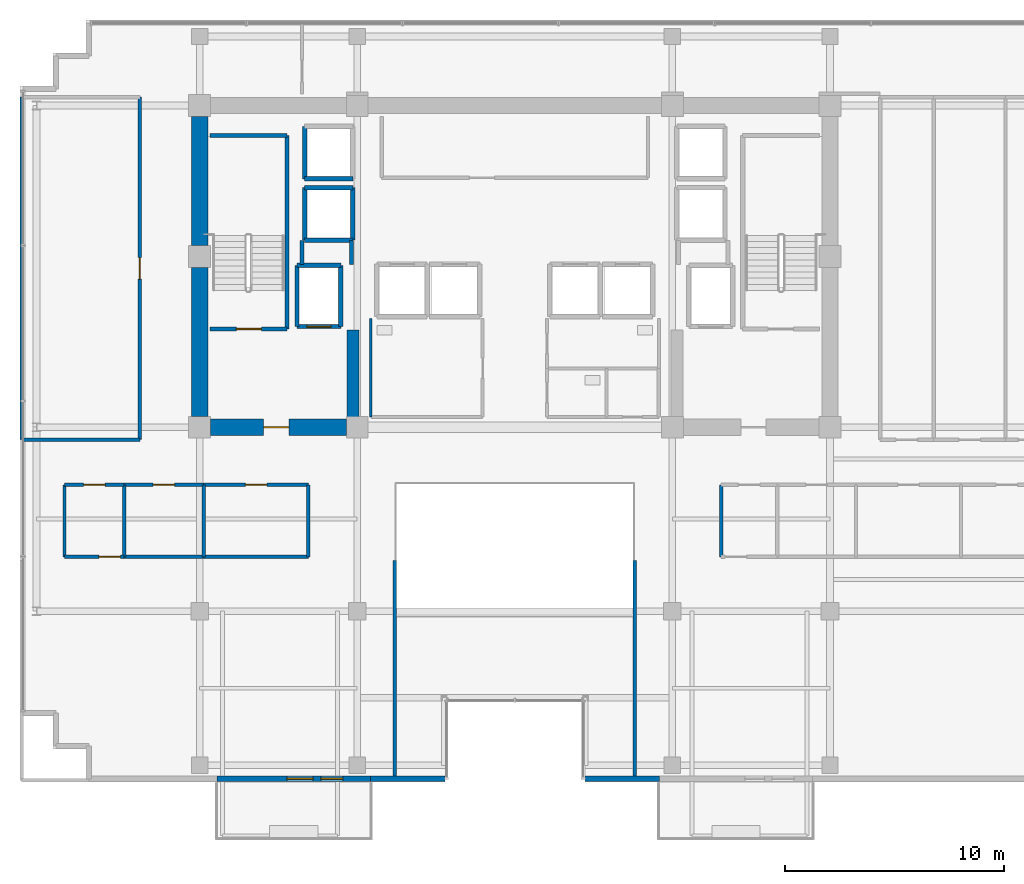
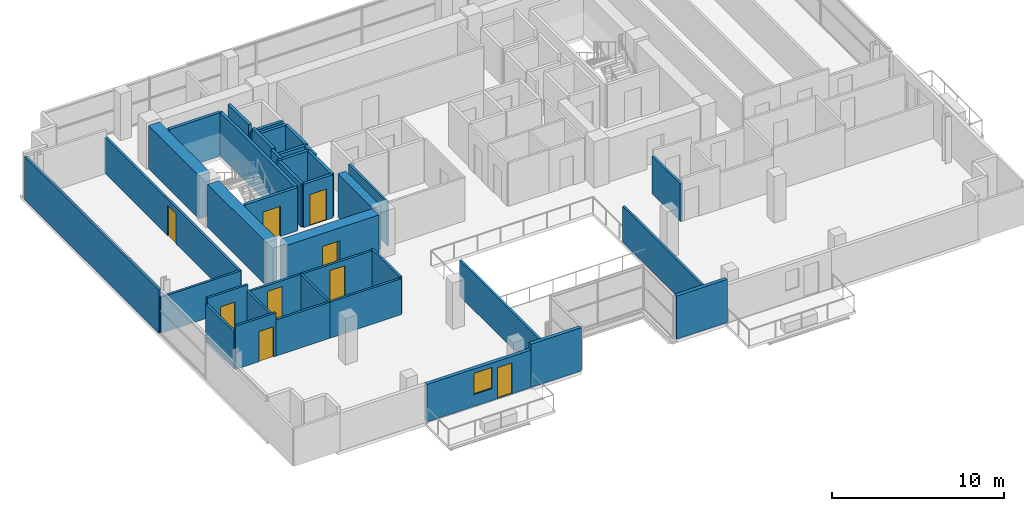
# One storey, part 15 of 21: 39 walls, 9 doors, 1 window, 10 openings.
"""IFC4 building model written with IfcOpenShell, lengths in metres."""

from ifc_helpers import new_model, si_unit, direction, frame, frame_2d, origin, place, context, subcontext, project, spatial, rectangle, extrude, source, transform, mapped, material, layer, layer_set, type_object, element, fill, save


model = new_model("IFC4")

# Units and contexts
model_context = context("Model", 3, precision=1e-05, world=origin(), true_north=direction((0.0, 1.0)))
body_context = subcontext(model_context, "Body", "Model", "MODEL_VIEW")
ifc_project = project(units=[si_unit("LENGTHUNIT", "METRE"), si_unit("AREAUNIT", "SQUARE_METRE"), si_unit("VOLUMEUNIT", "CUBIC_METRE"), si_unit("PLANEANGLEUNIT", "RADIAN"), si_unit("MASSUNIT", "GRAM", prefix="KILO")], contexts=[model_context])

# Site, building, storey
site_placement = place(None, origin())
site = spatial("IfcSite", under=ifc_project, at=site_placement, CompositionType="ELEMENT")
building_placement = place(site_placement, origin())
building = spatial("IfcBuilding", under=site, at=building_placement, Name="Zarnakvel Exchange Tower", CompositionType="ELEMENT")
storey_placement = place(building_placement, frame((0.0, 0.0, 182.5)))
storey = spatial("IfcBuildingStorey", under=building, at=storey_placement, Name="L51", CompositionType="ELEMENT", Elevation=182.5)

# Walls
ifc_material_1 = material(Name="Concrete C60/75", Category="concrete")
ifc_layer_1 = layer(ifc_material_1, 0.75)
ifc_layer_set_1 = layer_set([ifc_layer_1], Name="Concrete C60/75")
wall_type_1 = type_object("IfcWallType", Name="CW-C3", PredefinedType="SHEAR", material=ifc_layer_set_1)
wall_1_placement = place(storey_placement, frame((-14.39990234375, -0.699951171875, 0.0), z_axis=(0.0, 0.0, 1.0), x_axis=(0.0, 1.0, 0.0)))
element("IfcWall", 1, at=wall_1_placement, inside=storey, type_object=wall_type_1, Name="L51 Rear Core Shear Wall W1 (CW-C3)", PredefinedType="SHEAR", context=body_context, shape_type="SweptSolid", body=[
    extrude(rectangle(XDim=6.800048828125, YDim=0.75, at=frame_2d((3.39990234375, 0.0))), origin(), (0.0, 0.0, 1.0), 3.074951171875),
])
wall_2_placement = place(storey_placement, frame((-14.39990234375, 7.10009765625, 0.0), z_axis=(0.0, 0.0, 1.0), x_axis=(0.0, 1.0, 0.0)))
element("IfcWall", 2, at=wall_2_placement, inside=storey, type_object=wall_type_1, Name="L51 Rear Core Shear Wall W2 (CW-C3)", PredefinedType="SHEAR", context=body_context, shape_type="SweptSolid", body=[
    extrude(rectangle(XDim=5.89990234375, YDim=0.75, at=frame_2d((2.949951171875, 0.0))), origin(), (0.0, 0.0, 1.0), 3.074951171875),
])

# Wall, opening, door
wall_3_placement = place(storey_placement, frame((-7.699951171875, -1.199951171875, 0.0), z_axis=(0.0, 0.0, 1.0), x_axis=(-1.0, 0.0, 0.0)))
wall_3 = element("IfcWall", 3, at=wall_3_placement, inside=storey, type_object=wall_type_1, Name="L51 Rear Core Shear Wall SW (CW-C3)", PredefinedType="SHEAR", context=body_context, shape_type="SweptSolid", body=[
    extrude(rectangle(XDim=6.199951171875, YDim=0.75, at=frame_2d((3.10009765625, 0.0))), origin(), (0.0, 0.0, 1.0), 3.074951171875),
])
opening_1_placement = place(wall_3_placement, frame((2.625, 0.0, 0.0)))
opening_1 = element("IfcOpeningElement", 4, at=opening_1_placement, cuts=wall_3, Name="Opening D-L51-03", PredefinedType="OPENING", context=body_context, shape_type="SweptSolid", body=[
    extrude(rectangle(XDim=1.14990234375, YDim=2.14990234375, at=frame_2d((0.574951171875, 1.074951171875))), frame((0.0, 0.385009765625, 0.0), z_axis=(0.0, -1.0, 0.0), x_axis=(1.0, 0.0, 0.0)), (0.0, 0.0, 1.0), 0.77001953125),
])
ifc_material_2 = material(Name="Painted Galvanised Steel S355", Category="steel")
door_type_1 = type_object("IfcDoorType", Name="DT-04", OperationType="NOTDEFINED", PredefinedType="DOOR", material=ifc_material_2)
shared_shape_1 = source(origin(), body_context, "Body", "SweptSolid", [
    extrude(rectangle(XDim=1.14990234375, YDim=2.14990234375, at=frame_2d((0.574951171875, 1.074951171875))), frame((0.0, 0.02490234375, 0.0), z_axis=(0.0, -1.0, 0.0), x_axis=(1.0, 0.0, 0.0)), (0.0, 0.0, 1.0), 0.050048828125),
])
door_1_placement = place(opening_1_placement, origin())
door_1 = element("IfcDoor", 5, at=door_1_placement, inside=storey, type_object=door_type_1, Name="L51 Firefighting Lobby West Door D-L51-03", OperationType="SINGLE_SWING_LEFT", OverallHeight=2.14990234375, OverallWidth=1.14990234375, PredefinedType="DOOR", context=body_context, shape_type="MappedRepresentation", body=[
    mapped(shared_shape_1, transform((0.0, 0.0, 0.0), x_axis=(1.0, 0.0, 0.0), y_axis=(0.0, 1.0, 0.0), z_axis=(0.0, 0.0, 1.0), scale=1.0)),
])
fill(opening_1, door_1)

# Wall
ifc_layer_2 = layer(ifc_material_1, 0.550048828125)
ifc_layer_set_2 = layer_set([ifc_layer_2], Name="Concrete C60/75")
wall_type_2 = type_object("IfcWallType", Name="CW-C4", PredefinedType="SHEAR", material=ifc_layer_set_2)
wall_4_placement = place(storey_placement, frame((-7.39990234375, -0.824951171875, 0.0), z_axis=(0.0, 0.0, 1.0), x_axis=(0.0, 1.0, 0.0)))
element("IfcWall", 6, at=wall_4_placement, inside=storey, type_object=wall_type_2, Name="L51 Rear Core Shear Wall IW (CW-C4)", PredefinedType="SHEAR", context=body_context, shape_type="SweptSolid", body=[
    extrude(rectangle(XDim=4.074951171875, YDim=0.550048828125, at=frame_2d((2.03759765625, 0.0))), origin(), (0.0, 0.0, 1.0), 3.074951171875),
])

# Wall, openings, door, window
ifc_material_3 = material(Name="Precast concrete C40/50", Category="concrete")
ifc_layer_3 = layer(ifc_material_3, 0.239990234375)
ifc_layer_set_3 = layer_set([ifc_layer_3], Name="Precast concrete C40/50")
wall_type_3 = type_object("IfcWallType", Name="EW-02", PredefinedType="SOLIDWALL", material=ifc_layer_set_3)
wall_5_placement = place(storey_placement, frame((-6.60009765625, -17.260009765625, 0.0), z_axis=(0.0, 0.0, 1.0), x_axis=(-1.0, 0.0, 0.0)))
wall_5 = element("IfcWall", 7, at=wall_5_placement, inside=storey, type_object=wall_type_3, Name="L51 Exterior Precast Spandrel Wall EW-BAL-L51-SW (EW-02)", PredefinedType="SOLIDWALL", context=body_context, shape_type="SweptSolid", body=[
    extrude(rectangle(XDim=7.0, YDim=0.239990234375, at=frame_2d((3.5, 0.0))), origin(), (0.0, 0.0, 1.0), 2.6650390625),
])
opening_2_placement = place(wall_5_placement, frame((1.260009765625, 0.0, 0.0)))
opening_2 = element("IfcOpeningElement", 8, at=opening_2_placement, cuts=wall_5, Name="Opening BD-L51-01", PredefinedType="OPENING", context=body_context, shape_type="SweptSolid", body=[
    extrude(rectangle(XDim=1.0, YDim=2.199951171875, at=frame_2d((0.5, 1.10009765625))), frame((0.0, 0.1298828125, 0.0), z_axis=(0.0, -1.0, 0.0), x_axis=(1.0, 0.0, 0.0)), (0.0, 0.0, 1.0), 0.260009765625),
])
opening_3_placement = place(wall_5_placement, frame((2.610107421875, 0.0, 0.85009765625)))
opening_3 = element("IfcOpeningElement", 9, at=opening_3_placement, cuts=wall_5, Name="Opening WN-04", PredefinedType="OPENING", context=body_context, shape_type="SweptSolid", body=[
    extrude(rectangle(XDim=1.199951171875, YDim=1.5, at=frame_2d((0.60009765625, 0.75))), frame((0.0, 0.1298828125, 0.0), z_axis=(0.0, -1.0, 0.0), x_axis=(1.0, 0.0, 0.0)), (0.0, 0.0, 1.0), 0.260009765625),
])
ifc_material_4 = material(Name="Architectural Bronze Anodised Aluminium", Category="aluminium")
door_type_2 = type_object("IfcDoorType", Name="DT-09", OperationType="NOTDEFINED", PredefinedType="DOOR", material=ifc_material_4)
shared_shape_2 = source(origin(), body_context, "Body", "SweptSolid", [
    extrude(rectangle(XDim=1.0, YDim=2.199951171875, at=frame_2d((0.5, 1.10009765625))), frame((0.0, 0.02490234375, 0.0), z_axis=(0.0, -1.0, 0.0), x_axis=(1.0, 0.0, 0.0)), (0.0, 0.0, 1.0), 0.050048828125),
])
door_2_placement = place(opening_2_placement, origin())
door_2 = element("IfcDoor", 10, at=door_2_placement, inside=storey, type_object=door_type_2, Name="L51 Planted Loggia Balcony Door BD-L51-01", OperationType="SINGLE_SWING_LEFT", OverallHeight=2.199951171875, OverallWidth=1.0, PredefinedType="DOOR", context=body_context, shape_type="MappedRepresentation", body=[
    mapped(shared_shape_2, transform((0.0, 0.0, 0.0), x_axis=(1.0, 0.0, 0.0), y_axis=(0.0, 1.0, 0.0), z_axis=(0.0, 0.0, 1.0), scale=1.0)),
])
fill(opening_2, door_2)
ifc_material_5 = material(Name="Double Low-E Laminated Vision Glass", Category="glass")
window_type = type_object("IfcWindowType", Name="WN-04", PartitioningType="SINGLE_PANEL", PredefinedType="WINDOW", material=ifc_material_5)
shared_shape_3 = source(origin(), body_context, "Body", "SweptSolid", [
    extrude(rectangle(XDim=1.199951171875, YDim=1.5, at=frame_2d((0.60009765625, 0.75))), frame((0.0, 0.030029296875, 0.0), z_axis=(0.0, -1.0, 0.0), x_axis=(1.0, 0.0, 0.0)), (0.0, 0.0, 1.0), 0.06005859375),
])
window_placement = place(opening_3_placement, origin())
window = element("IfcWindow", 11, at=window_placement, inside=storey, type_object=window_type, Name="L51 Loggia Daylight Window (WN-04)", OverallHeight=1.5, OverallWidth=1.199951171875, PartitioningType="SINGLE_PANEL", PredefinedType="WINDOW", context=body_context, shape_type="MappedRepresentation", body=[
    mapped(shared_shape_3, transform((0.0, 0.0, 0.0), x_axis=(1.0, 0.0, 0.0), y_axis=(0.0, 1.0, 0.0), z_axis=(0.0, 0.0, 1.0), scale=1.0)),
])
fill(opening_3, window)

# Walls
for number, where, z_axis, x_axis, name in (
    (12, (3.199951171875, -17.260009765625, 0.0), (0.0, 0.0, 1.0), (1.0, 0.0, 0.0), "L51 Exterior Precast Spandrel Wall EWC-L51-16 (EW-02)"),
    (13, (-6.60009765625, -17.260009765625, 0.0), (0.0, 0.0, 1.0), (1.0, 0.0, 0.0), "L51 Exterior Precast Spandrel Wall EWC-L51-21 (EW-02)"),
):
    element("IfcWall", number, at=place(storey_placement, frame(where, z_axis=z_axis, x_axis=x_axis)), inside=storey, type_object=wall_type_3, Name=name, PredefinedType="SOLIDWALL", context=body_context, shape_type="SweptSolid", body=[
        extrude(rectangle(XDim=3.400146484375, YDim=0.239990234375, at=frame_2d((1.7001953125, 0.0))), origin(), (0.0, 0.0, 1.0), 3.074951171875),
    ])

# Wall, opening, door
ifc_material_6 = material(Name="Fire-Rated Gypsum Stud Partition", Category="gypsum")
ifc_layer_4 = layer(ifc_material_6, 0.14990234375)
ifc_layer_set_4 = layer_set([ifc_layer_4], Name="Fire-Rated Gypsum Stud Partition")
wall_type_4 = type_object("IfcWallType", Name="PT-01", PredefinedType="PARTITIONING", material=ifc_layer_set_4)
wall_6_placement = place(storey_placement, frame((-17.842529296875, -7.1201171875, 0.0), z_axis=(0.0, 0.0, 1.0), x_axis=(-1.0, 0.0, 0.0)))
wall_6 = element("IfcWall", 14, at=wall_6_placement, inside=storey, type_object=wall_type_4, Name="L51 Partition Wall PWALL-L51-025 (PT-01)", PredefinedType="PARTITIONING", context=body_context, shape_type="SweptSolid", body=[
    extrude(rectangle(XDim=2.72900390625, YDim=0.14990234375, at=frame_2d((1.364501953125, 0.0))), origin(), (0.0, 0.0, 1.0), 3.074951171875),
])
opening_4_placement = place(wall_6_placement, frame((0.179931640625, 0.0, 0.0)))
opening_4 = element("IfcOpeningElement", 15, at=opening_4_placement, cuts=wall_6, Name="Opening D-L51-13", PredefinedType="OPENING", context=body_context, shape_type="SweptSolid", body=[
    extrude(rectangle(XDim=0.97998046875, YDim=2.14990234375, at=frame_2d((0.489990234375, 1.074951171875))), frame((0.0, 0.0849609375, 0.0), z_axis=(0.0, -1.0, 0.0), x_axis=(1.0, 0.0, 0.0)), (0.0, 0.0, 1.0), 0.169921875),
])
ifc_material_7 = material(Name="Timber Acoustic Veneer", Category="wood")
door_type_3 = type_object("IfcDoorType", Name="DT-05", OperationType="NOTDEFINED", PredefinedType="DOOR", material=ifc_material_7)
shared_shape_4 = source(origin(), body_context, "Body", "SweptSolid", [
    extrude(rectangle(XDim=0.97998046875, YDim=2.14990234375, at=frame_2d((0.489990234375, 1.074951171875))), frame((0.0, 0.02490234375, 0.0), z_axis=(0.0, -1.0, 0.0), x_axis=(1.0, 0.0, 0.0)), (0.0, 0.0, 1.0), 0.050048828125),
])
door_3_placement = place(opening_4_placement, origin())
door_3 = element("IfcDoor", 16, at=door_3_placement, inside=storey, type_object=door_type_3, Name="L51 Equities Trading Floor Door D-L51-13", OperationType="SINGLE_SWING_LEFT", OverallHeight=2.14990234375, OverallWidth=0.97998046875, PredefinedType="DOOR", context=body_context, shape_type="MappedRepresentation", body=[
    mapped(shared_shape_4, transform((0.0, 0.0, 0.0), x_axis=(1.0, 0.0, 0.0), y_axis=(0.0, 1.0, 0.0), z_axis=(0.0, 0.0, 1.0), scale=1.0)),
])
fill(opening_4, door_3)

wall_7_placement = place(storey_placement, frame((-20.571533203125, -3.830078125, 0.0), z_axis=(0.0, 0.0, 1.0), x_axis=(1.0, 0.0, 0.0)))
wall_7 = element("IfcWall", 17, at=wall_7_placement, inside=storey, type_object=wall_type_4, Name="L51 Partition Wall PWALL-L51-026 (PT-01)", PredefinedType="PARTITIONING", context=body_context, shape_type="SweptSolid", body=[
    extrude(rectangle(XDim=2.72900390625, YDim=0.14990234375, at=frame_2d((1.364501953125, 0.0))), origin(), (0.0, 0.0, 1.0), 3.074951171875),
])
opening_5_placement = place(wall_7_placement, frame((0.87451171875, 0.0, 0.0)))
opening_5 = element("IfcOpeningElement", 18, at=opening_5_placement, cuts=wall_7, Name="Opening D-L51-10", PredefinedType="OPENING", context=body_context, shape_type="SweptSolid", body=[
    extrude(rectangle(XDim=0.97998046875, YDim=2.14990234375, at=frame_2d((0.489990234375, 1.074951171875))), frame((0.0, 0.0849609375, 0.0), z_axis=(0.0, -1.0, 0.0), x_axis=(1.0, 0.0, 0.0)), (0.0, 0.0, 1.0), 0.169921875),
])
door_4_placement = place(opening_5_placement, origin())
door_4 = element("IfcDoor", 19, at=door_4_placement, inside=storey, type_object=door_type_3, Name="L51 Asset Management Office Door D-L51-10", OperationType="SINGLE_SWING_RIGHT", OverallHeight=2.14990234375, OverallWidth=0.97998046875, PredefinedType="DOOR", context=body_context, shape_type="MappedRepresentation", body=[
    mapped(shared_shape_4, transform((0.0, 0.0, 0.0), x_axis=(1.0, 0.0, 0.0), y_axis=(0.0, 1.0, 0.0), z_axis=(0.0, 0.0, 1.0), scale=1.0)),
])
fill(opening_5, door_4)

# Walls
for number, where, z_axis, x_axis, name in (
    (20, (-20.571533203125, -7.1201171875, 0.0), (0.0, 0.0, 1.0), (0.0, 1.0, 0.0), "L51 Partition Wall PWALL-L51-027 (PT-01)"),
    (21, (-17.842529296875, -3.830078125, 0.0), (0.0, 0.0, 1.0), (0.0, -1.0, 0.0), "L51 Partition Wall PWALL-L51-028 (PT-01)"),
):
    element("IfcWall", number, at=place(storey_placement, frame(where, z_axis=z_axis, x_axis=x_axis)), inside=storey, type_object=wall_type_4, Name=name, PredefinedType="PARTITIONING", context=body_context, shape_type="SweptSolid", body=[
        extrude(rectangle(XDim=3.2900390625, YDim=0.14990234375, at=frame_2d((1.64501953125, 0.0))), origin(), (0.0, 0.0, 1.0), 2.6650390625),
    ])
wall_8_placement = place(storey_placement, frame((-14.21435546875, -7.1201171875, 0.0), z_axis=(0.0, 0.0, 1.0), x_axis=(-1.0, 0.0, 0.0)))
element("IfcWall", 22, at=wall_8_placement, inside=storey, type_object=wall_type_4, Name="L51 Partition Wall PWALL-L51-029 (PT-01)", PredefinedType="PARTITIONING", context=body_context, shape_type="SweptSolid", body=[
    extrude(rectangle(XDim=3.628173828125, YDim=0.14990234375, at=frame_2d((1.81396484375, 0.0))), origin(), (0.0, 0.0, 1.0), 2.56494140625),
])

# Wall, opening, door
wall_9_placement = place(storey_placement, frame((-17.842529296875, -3.830078125, 0.0), z_axis=(0.0, 0.0, 1.0), x_axis=(1.0, 0.0, 0.0)))
wall_9 = element("IfcWall", 23, at=wall_9_placement, inside=storey, type_object=wall_type_4, Name="L51 Partition Wall PWALL-L51-030 (PT-01)", PredefinedType="PARTITIONING", context=body_context, shape_type="SweptSolid", body=[
    extrude(rectangle(XDim=3.628173828125, YDim=0.14990234375, at=frame_2d((1.81396484375, 0.0))), origin(), (0.0, 0.0, 1.0), 2.56494140625),
])
opening_6_placement = place(wall_9_placement, frame((1.324462890625, 0.0, 0.0)))
opening_6 = element("IfcOpeningElement", 24, at=opening_6_placement, cuts=wall_9, Name="Opening D-L51-11", PredefinedType="OPENING", context=body_context, shape_type="SweptSolid", body=[
    extrude(rectangle(XDim=0.97998046875, YDim=2.14990234375, at=frame_2d((0.489990234375, 1.074951171875))), frame((0.0, 0.0849609375, 0.0), z_axis=(0.0, -1.0, 0.0), x_axis=(1.0, 0.0, 0.0)), (0.0, 0.0, 1.0), 0.169921875),
])
door_5_placement = place(opening_6_placement, origin())
door_5 = element("IfcDoor", 25, at=door_5_placement, inside=storey, type_object=door_type_3, Name="L51 Meeting Room Door D-L51-11", OperationType="SINGLE_SWING_LEFT", OverallHeight=2.14990234375, OverallWidth=0.97998046875, PredefinedType="DOOR", context=body_context, shape_type="MappedRepresentation", body=[
    mapped(shared_shape_4, transform((0.0, 0.0, 0.0), x_axis=(1.0, 0.0, 0.0), y_axis=(0.0, 1.0, 0.0), z_axis=(0.0, 0.0, 1.0), scale=1.0)),
])
fill(opening_6, door_5)

# Walls
wall_10_placement = place(storey_placement, frame((-14.21435546875, -3.830078125, 0.0), z_axis=(0.0, 0.0, 1.0), x_axis=(0.0, -1.0, 0.0)))
element("IfcWall", 26, at=wall_10_placement, inside=storey, type_object=wall_type_4, Name="L51 Partition Wall PWALL-L51-031 (PT-01)", PredefinedType="PARTITIONING", context=body_context, shape_type="SweptSolid", body=[
    extrude(rectangle(XDim=3.2900390625, YDim=0.14990234375, at=frame_2d((1.64501953125, 0.0))), origin(), (0.0, 0.0, 1.0), 2.56494140625),
])
wall_11_placement = place(storey_placement, frame((-9.429931640625, -7.1201171875, 0.0), z_axis=(0.0, 0.0, 1.0), x_axis=(-1.0, 0.0, 0.0)))
element("IfcWall", 27, at=wall_11_placement, inside=storey, type_object=wall_type_4, Name="L51 Partition Wall PWALL-L51-032 (PT-01)", PredefinedType="PARTITIONING", context=body_context, shape_type="SweptSolid", body=[
    extrude(rectangle(XDim=4.784423828125, YDim=0.14990234375, at=frame_2d((2.39208984375, 0.0))), origin(), (0.0, 0.0, 1.0), 2.56494140625),
])

# Wall, opening, door
wall_12_placement = place(storey_placement, frame((-14.21435546875, -3.830078125, 0.0), z_axis=(0.0, 0.0, 1.0), x_axis=(1.0, 0.0, 0.0)))
wall_12 = element("IfcWall", 28, at=wall_12_placement, inside=storey, type_object=wall_type_4, Name="L51 Partition Wall PWALL-L51-033 (PT-01)", PredefinedType="PARTITIONING", context=body_context, shape_type="SweptSolid", body=[
    extrude(rectangle(XDim=4.784423828125, YDim=0.14990234375, at=frame_2d((2.39208984375, 0.0))), origin(), (0.0, 0.0, 1.0), 2.56494140625),
])
opening_7_placement = place(wall_12_placement, frame((1.90234375, 0.0, 0.0)))
opening_7 = element("IfcOpeningElement", 29, at=opening_7_placement, cuts=wall_12, Name="Opening D-L51-12", PredefinedType="OPENING", context=body_context, shape_type="SweptSolid", body=[
    extrude(rectangle(XDim=0.97998046875, YDim=2.14990234375, at=frame_2d((0.489990234375, 1.074951171875))), frame((0.0, 0.0849609375, 0.0), z_axis=(0.0, -1.0, 0.0), x_axis=(1.0, 0.0, 0.0)), (0.0, 0.0, 1.0), 0.169921875),
])
door_6_placement = place(opening_7_placement, origin())
door_6 = element("IfcDoor", 30, at=door_6_placement, inside=storey, type_object=door_type_3, Name="L51 Executive Office Door D-L51-12", OperationType="SINGLE_SWING_RIGHT", OverallHeight=2.14990234375, OverallWidth=0.97998046875, PredefinedType="DOOR", context=body_context, shape_type="MappedRepresentation", body=[
    mapped(shared_shape_4, transform((0.0, 0.0, 0.0), x_axis=(1.0, 0.0, 0.0), y_axis=(0.0, 1.0, 0.0), z_axis=(0.0, 0.0, 1.0), scale=1.0)),
])
fill(opening_7, door_6)

# Walls
wall_13_placement = place(storey_placement, frame((-9.429931640625, -3.830078125, 0.0), z_axis=(0.0, 0.0, 1.0), x_axis=(0.0, -1.0, 0.0)))
element("IfcWall", 31, at=wall_13_placement, inside=storey, type_object=wall_type_4, Name="L51 Partition Wall PWALL-L51-034 (PT-01)", PredefinedType="PARTITIONING", context=body_context, shape_type="SweptSolid", body=[
    extrude(rectangle(XDim=3.2900390625, YDim=0.14990234375, at=frame_2d((1.64501953125, 0.0))), origin(), (0.0, 0.0, 1.0), 2.6650390625),
])
wall_14_placement = place(storey_placement, frame((-5.47998046875, -7.280029296875, 0.0), z_axis=(0.0, 0.0, 1.0), x_axis=(0.0, -1.0, 0.0)))
element("IfcWall", 32, at=wall_14_placement, inside=storey, type_object=wall_type_4, Name="L51 Partition Wall PWALL-L51-037 (PT-01)", PredefinedType="PARTITIONING", context=body_context, shape_type="SweptSolid", body=[
    extrude(rectangle(XDim=10.050048828125, YDim=0.14990234375, at=frame_2d((5.02490234375, 0.0))), origin(), (0.0, 0.0, 1.0), 2.56494140625),
])
wall_15_placement = place(storey_placement, frame((9.429931640625, -7.1201171875, 0.0), z_axis=(0.0, 0.0, 1.0), x_axis=(0.0, 1.0, 0.0)))
element("IfcWall", 33, at=wall_15_placement, inside=storey, type_object=wall_type_4, Name="L51 Partition Wall PWALL-L51-040 (PT-01)", PredefinedType="PARTITIONING", context=body_context, shape_type="SweptSolid", body=[
    extrude(rectangle(XDim=3.2900390625, YDim=0.14990234375, at=frame_2d((1.64501953125, 0.0))), origin(), (0.0, 0.0, 1.0), 2.6650390625),
])
wall_16_placement = place(storey_placement, frame((5.47998046875, -17.330078125, 0.0), z_axis=(0.0, 0.0, 1.0), x_axis=(0.0, 1.0, 0.0)))
element("IfcWall", 34, at=wall_16_placement, inside=storey, type_object=wall_type_4, Name="L51 Partition Wall PWALL-L51-052 (PT-01)", PredefinedType="PARTITIONING", context=body_context, shape_type="SweptSolid", body=[
    extrude(rectangle(XDim=10.050048828125, YDim=0.14990234375, at=frame_2d((5.02490234375, 0.0))), origin(), (0.0, 0.0, 1.0), 2.56494140625),
])
wall_17_placement = place(storey_placement, frame((-17.1298828125, -1.77001953125, 0.0), z_axis=(0.0, 0.0, 1.0), x_axis=(-1.0, 0.0, 0.0)))
element("IfcWall", 35, at=wall_17_placement, inside=storey, type_object=wall_type_4, Name="L51 Partition Wall PWALL-L51-054 (PT-01)", PredefinedType="PARTITIONING", context=body_context, shape_type="SweptSolid", body=[
    extrude(rectangle(XDim=5.400146484375, YDim=0.14990234375, at=frame_2d((2.7001953125, 0.0))), origin(), (0.0, 0.0, 1.0), 2.56494140625),
])
wall_18_placement = place(storey_placement, frame((-22.530029296875, -1.77001953125, 0.0), z_axis=(0.0, 0.0, 1.0), x_axis=(0.0, 1.0, 0.0)))
element("IfcWall", 36, at=wall_18_placement, inside=storey, type_object=wall_type_4, Name="L51 Partition Wall PWALL-L51-056 (PT-01)", PredefinedType="PARTITIONING", context=body_context, shape_type="SweptSolid", body=[
    extrude(rectangle(XDim=15.64990234375, YDim=0.14990234375, at=frame_2d((7.824951171875, 0.0))), origin(), (0.0, 0.0, 1.0), 3.074951171875),
])

# Wall, opening, door
wall_19_placement = place(storey_placement, frame((-17.1298828125, 13.8798828125, 0.0), z_axis=(0.0, 0.0, 1.0), x_axis=(0.0, -1.0, 0.0)))
wall_19 = element("IfcWall", 37, at=wall_19_placement, inside=storey, type_object=wall_type_4, Name="L51 Partition Wall PWALL-L51-057 (PT-01)", PredefinedType="PARTITIONING", context=body_context, shape_type="SweptSolid", body=[
    extrude(rectangle(XDim=15.64990234375, YDim=0.14990234375, at=frame_2d((7.824951171875, 0.0))), origin(), (0.0, 0.0, 1.0), 2.56494140625),
])
opening_8_placement = place(wall_19_placement, frame((7.3349609375, 0.0, 0.0)))
opening_8 = element("IfcOpeningElement", 38, at=opening_8_placement, cuts=wall_19, Name="Opening D-L51-19", PredefinedType="OPENING", context=body_context, shape_type="SweptSolid", body=[
    extrude(rectangle(XDim=0.97998046875, YDim=2.14990234375, at=frame_2d((0.489990234375, 1.074951171875))), frame((0.0, 0.0849609375, 0.0), z_axis=(0.0, -1.0, 0.0), x_axis=(1.0, 0.0, 0.0)), (0.0, 0.0, 1.0), 0.169921875),
])
door_7_placement = place(opening_8_placement, origin())
door_7 = element("IfcDoor", 39, at=door_7_placement, inside=storey, type_object=door_type_3, Name="L51 Executive Office Door D-L51-19", OperationType="SINGLE_SWING_LEFT", OverallHeight=2.14990234375, OverallWidth=0.97998046875, PredefinedType="DOOR", context=body_context, shape_type="MappedRepresentation", body=[
    mapped(shared_shape_4, transform((0.0, 0.0, 0.0), x_axis=(1.0, 0.0, 0.0), y_axis=(0.0, 1.0, 0.0), z_axis=(0.0, 0.0, 1.0), scale=1.0)),
])
fill(opening_8, door_7)

# Walls
ifc_layer_5 = layer(ifc_material_6, 0.179931640625)
ifc_layer_set_5 = layer_set([ifc_layer_5], Name="Fire-Rated Gypsum Stud Partition")
wall_type_5 = type_object("IfcWallType", Name="PT-02", PredefinedType="PARTITIONING", material=ifc_layer_set_5)
wall_20_placement = place(storey_placement, frame((-9.72998046875, 6.239990234375, 0.0), z_axis=(0.0, 0.0, 1.0), x_axis=(0.0, 1.0, 0.0)))
element("IfcWall", 40, at=wall_20_placement, inside=storey, type_object=wall_type_5, Name="L51 Partition Wall PWALL-L51-007 (PT-02)", PredefinedType="PARTITIONING", context=body_context, shape_type="SweptSolid", body=[
    extrude(rectangle(XDim=1.090087890625, YDim=0.179931640625, at=frame_2d((0.544921875, 0.0))), origin(), (0.0, 0.0, 1.0), 3.074951171875),
])
wall_21_placement = place(storey_placement, frame((-7.469970703125, 7.330078125, 0.0), z_axis=(0.0, 0.0, 1.0), x_axis=(0.0, -1.0, 0.0)))
element("IfcWall", 41, at=wall_21_placement, inside=storey, type_object=wall_type_5, Name="L51 Partition Wall PWALL-L51-008 (PT-02)", PredefinedType="PARTITIONING", context=body_context, shape_type="SweptSolid", body=[
    extrude(rectangle(XDim=1.090087890625, YDim=0.179931640625, at=frame_2d((0.544921875, 0.0))), origin(), (0.0, 0.0, 1.0), 2.56494140625),
])
ifc_material_8 = material(Name="Moisture-Resistant Tile-Faced Partition", Category="gypsum")
ifc_layer_6 = layer(ifc_material_8, 0.135009765625)
ifc_layer_set_6 = layer_set([ifc_layer_6], Name="Moisture-Resistant Tile-Faced Partition")
wall_type_6 = type_object("IfcWallType", Name="PT-03", PredefinedType="PARTITIONING", material=ifc_layer_set_6)
wall_22_placement = place(storey_placement, frame((-6.580078125, -0.72998046875, 0.0), z_axis=(0.0, 0.0, 1.0), x_axis=(0.0, 1.0, 0.0)))
element("IfcWall", 42, at=wall_22_placement, inside=storey, type_object=wall_type_6, Name="L51 Partition Wall PWALL-L51-015 (PT-03)", PredefinedType="PARTITIONING", context=body_context, shape_type="SweptSolid", body=[
    extrude(rectangle(XDim=4.489990234375, YDim=0.135009765625, at=frame_2d((2.2451171875, 0.0))), origin(), (0.0, 0.0, 1.0), 3.074951171875),
])

# Wall, opening, door
ifc_material_9 = material(Name="Concrete C40/50", Category="concrete")
ifc_layer_7 = layer(ifc_material_9, 0.199951171875)
ifc_layer_set_7 = layer_set([ifc_layer_7], Name="Concrete C40/50")
wall_type_7 = type_object("IfcWallType", Name="SW-01", PredefinedType="SOLIDWALL", material=ifc_layer_set_7)
wall_23_placement = place(storey_placement, frame((-7.949951171875, 3.39990234375, 0.0), z_axis=(0.0, 0.0, 1.0), x_axis=(-1.0, 0.0, 0.0)))
wall_23 = element("IfcWall", 43, at=wall_23_placement, inside=storey, type_object=wall_type_7, Name="L51 FL-01 Hoistway Wall South", PredefinedType="SOLIDWALL", context=body_context, shape_type="SweptSolid", body=[
    extrude(rectangle(XDim=2.0, YDim=0.199951171875, at=frame_2d((1.0, 0.0))), origin(), (0.0, 0.0, 1.0), 3.074951171875),
])
opening_9_placement = place(wall_23_placement, frame((0.449951171875, 0.0, 0.0)))
opening_9 = element("IfcOpeningElement", 44, at=opening_9_placement, cuts=wall_23, Name="Opening LD-FL-01-L51", PredefinedType="OPENING", context=body_context, shape_type="SweptSolid", body=[
    extrude(rectangle(XDim=1.10009765625, YDim=2.199951171875, at=frame_2d((0.550048828125, 1.10009765625))), frame((0.0, 0.10986328125, 0.0), z_axis=(0.0, -1.0, 0.0), x_axis=(1.0, 0.0, 0.0)), (0.0, 0.0, 1.0), 0.219970703125),
])
ifc_material_10 = material(Name="Brushed Stainless Steel", Category="steel")
door_type_4 = type_object("IfcDoorType", Name="LDT-01", OperationType="NOTDEFINED", PredefinedType="DOOR", material=ifc_material_10)
shared_shape_5 = source(origin(), body_context, "Body", "SweptSolid", [
    extrude(rectangle(XDim=1.10009765625, YDim=2.199951171875, at=frame_2d((0.550048828125, 1.10009765625))), frame((0.0, 0.02490234375, 0.0), z_axis=(0.0, -1.0, 0.0), x_axis=(1.0, 0.0, 0.0)), (0.0, 0.0, 1.0), 0.050048828125),
])
door_8_placement = place(opening_9_placement, origin())
door_8 = element("IfcDoor", 45, at=door_8_placement, inside=storey, type_object=door_type_4, Name="L51 FL-01 Lift Landing Door LD-FL-01-L51", OperationType="DOUBLE_DOOR_SLIDING", OverallHeight=2.199951171875, OverallWidth=1.10009765625, PredefinedType="DOOR", context=body_context, shape_type="MappedRepresentation", body=[
    mapped(shared_shape_5, transform((0.0, 0.0, 0.0), x_axis=(1.0, 0.0, 0.0), y_axis=(0.0, 1.0, 0.0), z_axis=(0.0, 0.0, 1.0), scale=1.0)),
])
fill(opening_9, door_8)

# Walls
wall_24_placement = place(storey_placement, frame((-9.949951171875, 6.199951171875, 0.0), z_axis=(0.0, 0.0, 1.0), x_axis=(1.0, 0.0, 0.0)))
element("IfcWall", 46, at=wall_24_placement, inside=storey, type_object=wall_type_7, Name="L51 FL-01 Hoistway Wall North", PredefinedType="SOLIDWALL", context=body_context, shape_type="SweptSolid", body=[
    extrude(rectangle(XDim=2.0, YDim=0.199951171875, at=frame_2d((1.0, 0.0))), origin(), (0.0, 0.0, 1.0), 3.074951171875),
])
for number, where, z_axis, x_axis, name in (
    (47, (-9.949951171875, 3.39990234375, 0.0), (0.0, 0.0, 1.0), (0.0, 1.0, 0.0), "L51 FL-01 Hoistway Wall West"),
    (48, (-7.949951171875, 6.199951171875, 0.0), (0.0, 0.0, 1.0), (0.0, -1.0, 0.0), "L51 FL-01 Hoistway Wall East"),
):
    element("IfcWall", number, at=place(storey_placement, frame(where, z_axis=z_axis, x_axis=x_axis)), inside=storey, type_object=wall_type_7, Name=name, PredefinedType="SOLIDWALL", context=body_context, shape_type="SweptSolid", body=[
        extrude(rectangle(XDim=2.800048828125, YDim=0.199951171875, at=frame_2d((1.39990234375, 0.0))), origin(), (0.0, 0.0, 1.0), 3.074951171875),
    ])
for number, where, z_axis, x_axis, name in (
    (49, (-7.39990234375, 7.35009765625, 0.0), (0.0, 0.0, 1.0), (-1.0, 0.0, 0.0), "L51 PL-09 Hoistway Wall South"),
    (50, (-9.60009765625, 9.75, 0.0), (0.0, 0.0, 1.0), (1.0, 0.0, 0.0), "L51 PL-09 Hoistway Wall North"),
):
    element("IfcWall", number, at=place(storey_placement, frame(where, z_axis=z_axis, x_axis=x_axis)), inside=storey, type_object=wall_type_7, Name=name, PredefinedType="SOLIDWALL", context=body_context, shape_type="SweptSolid", body=[
        extrude(rectangle(XDim=2.2001953125, YDim=0.199951171875, at=frame_2d((1.10009765625, 0.0))), origin(), (0.0, 0.0, 1.0), 2.56494140625),
    ])
wall_25_placement = place(storey_placement, frame((-9.60009765625, 7.35009765625, 0.0), z_axis=(0.0, 0.0, 1.0), x_axis=(0.0, 1.0, 0.0)))
element("IfcWall", 51, at=wall_25_placement, inside=storey, type_object=wall_type_7, Name="L51 PL-09 Hoistway Wall West", PredefinedType="SOLIDWALL", context=body_context, shape_type="SweptSolid", body=[
    extrude(rectangle(XDim=2.39990234375, YDim=0.199951171875, at=frame_2d((1.199951171875, 0.0))), origin(), (0.0, 0.0, 1.0), 3.074951171875),
])
wall_26_placement = place(storey_placement, frame((-7.39990234375, 9.75, 0.0), z_axis=(0.0, 0.0, 1.0), x_axis=(0.0, -1.0, 0.0)))
element("IfcWall", 52, at=wall_26_placement, inside=storey, type_object=wall_type_7, Name="L51 PL-09 Hoistway Wall East", PredefinedType="SOLIDWALL", context=body_context, shape_type="SweptSolid", body=[
    extrude(rectangle(XDim=2.39990234375, YDim=0.199951171875, at=frame_2d((1.199951171875, 0.0))), origin(), (0.0, 0.0, 1.0), 2.56494140625),
])
wall_27_placement = place(storey_placement, frame((-7.39990234375, 10.14990234375, 0.0), z_axis=(0.0, 0.0, 1.0), x_axis=(-1.0, 0.0, 0.0)))
element("IfcWall", 53, at=wall_27_placement, inside=storey, type_object=wall_type_7, Name="L51 PL-10 Hoistway Wall South", PredefinedType="SOLIDWALL", context=body_context, shape_type="SweptSolid", body=[
    extrude(rectangle(XDim=2.2001953125, YDim=0.199951171875, at=frame_2d((1.10009765625, 0.0))), origin(), (0.0, 0.0, 1.0), 2.56494140625),
])
wall_28_placement = place(storey_placement, frame((-9.60009765625, 10.14990234375, 0.0), z_axis=(0.0, 0.0, 1.0), x_axis=(0.0, 1.0, 0.0)))
element("IfcWall", 54, at=wall_28_placement, inside=storey, type_object=wall_type_7, Name="L51 PL-10 Hoistway Wall West", PredefinedType="SOLIDWALL", context=body_context, shape_type="SweptSolid", body=[
    extrude(rectangle(XDim=2.400146484375, YDim=0.199951171875, at=frame_2d((1.2001953125, 0.0))), origin(), (0.0, 0.0, 1.0), 3.074951171875),
])

# Wall, opening, door
ifc_layer_8 = layer(ifc_material_9, 0.199951171875)
ifc_layer_set_8 = layer_set([ifc_layer_8], Name="Concrete C40/50")
wall_type_8 = type_object("IfcWallType", Name="SW-02", PredefinedType="SOLIDWALL", material=ifc_layer_set_8)
wall_29_placement = place(storey_placement, frame((-10.409912109375, 3.2900390625, 0.0), z_axis=(0.0, 0.0, 1.0), x_axis=(-1.0, 0.0, 0.0)))
wall_29 = element("IfcWall", 55, at=wall_29_placement, inside=storey, type_object=wall_type_8, Name="L51 Stairwell Core Wall PWALL-L51-001 (SW-02)", PredefinedType="SOLIDWALL", context=body_context, shape_type="SweptSolid", body=[
    extrude(rectangle(XDim=3.52001953125, YDim=0.199951171875, at=frame_2d((1.760009765625, 0.0))), origin(), (0.0, 0.0, 1.0), 3.074951171875),
])
opening_10_placement = place(wall_29_placement, frame((1.1650390625, 0.0, 0.0)))
opening_10 = element("IfcOpeningElement", 56, at=opening_10_placement, cuts=wall_29, Name="Opening D-L51-01", PredefinedType="OPENING", context=body_context, shape_type="SweptSolid", body=[
    extrude(rectangle(XDim=1.14990234375, YDim=2.14990234375, at=frame_2d((0.574951171875, 1.074951171875))), frame((0.0, 0.10986328125, 0.0), z_axis=(0.0, -1.0, 0.0), x_axis=(1.0, 0.0, 0.0)), (0.0, 0.0, 1.0), 0.219970703125),
])
door_9_placement = place(opening_10_placement, origin())
door_9 = element("IfcDoor", 57, at=door_9_placement, inside=storey, type_object=door_type_1, Name="L51 Stairwell ST-01 Door D-L51-01", OperationType="SINGLE_SWING_LEFT", OverallHeight=2.14990234375, OverallWidth=1.14990234375, PredefinedType="DOOR", context=body_context, shape_type="MappedRepresentation", body=[
    mapped(shared_shape_1, transform((0.0, 0.0, 0.0), x_axis=(1.0, 0.0, 0.0), y_axis=(0.0, 1.0, 0.0), z_axis=(0.0, 0.0, 1.0), scale=1.0)),
])
fill(opening_10, door_9)

# Walls
wall_30_placement = place(storey_placement, frame((-13.929931640625, 12.1298828125, 0.0), z_axis=(0.0, 0.0, 1.0), x_axis=(1.0, 0.0, 0.0)))
element("IfcWall", 58, at=wall_30_placement, inside=storey, type_object=wall_type_8, Name="L51 Stairwell Core Wall PWALL-L51-002 (SW-02)", PredefinedType="SOLIDWALL", context=body_context, shape_type="SweptSolid", body=[
    extrude(rectangle(XDim=3.52001953125, YDim=0.199951171875, at=frame_2d((1.760009765625, 0.0))), origin(), (0.0, 0.0, 1.0), 3.074951171875),
])
wall_31_placement = place(storey_placement, frame((-10.409912109375, 12.1298828125, 0.0), z_axis=(0.0, 0.0, 1.0), x_axis=(0.0, -1.0, 0.0)))
element("IfcWall", 59, at=wall_31_placement, inside=storey, type_object=wall_type_8, Name="L51 Stairwell Core Wall PWALL-L51-003 (SW-02)", PredefinedType="SOLIDWALL", context=body_context, shape_type="SweptSolid", body=[
    extrude(rectangle(XDim=8.83984375, YDim=0.199951171875, at=frame_2d((4.419921875, 0.0))), origin(), (0.0, 0.0, 1.0), 3.074951171875),
])

save(model, "model.ifc")
